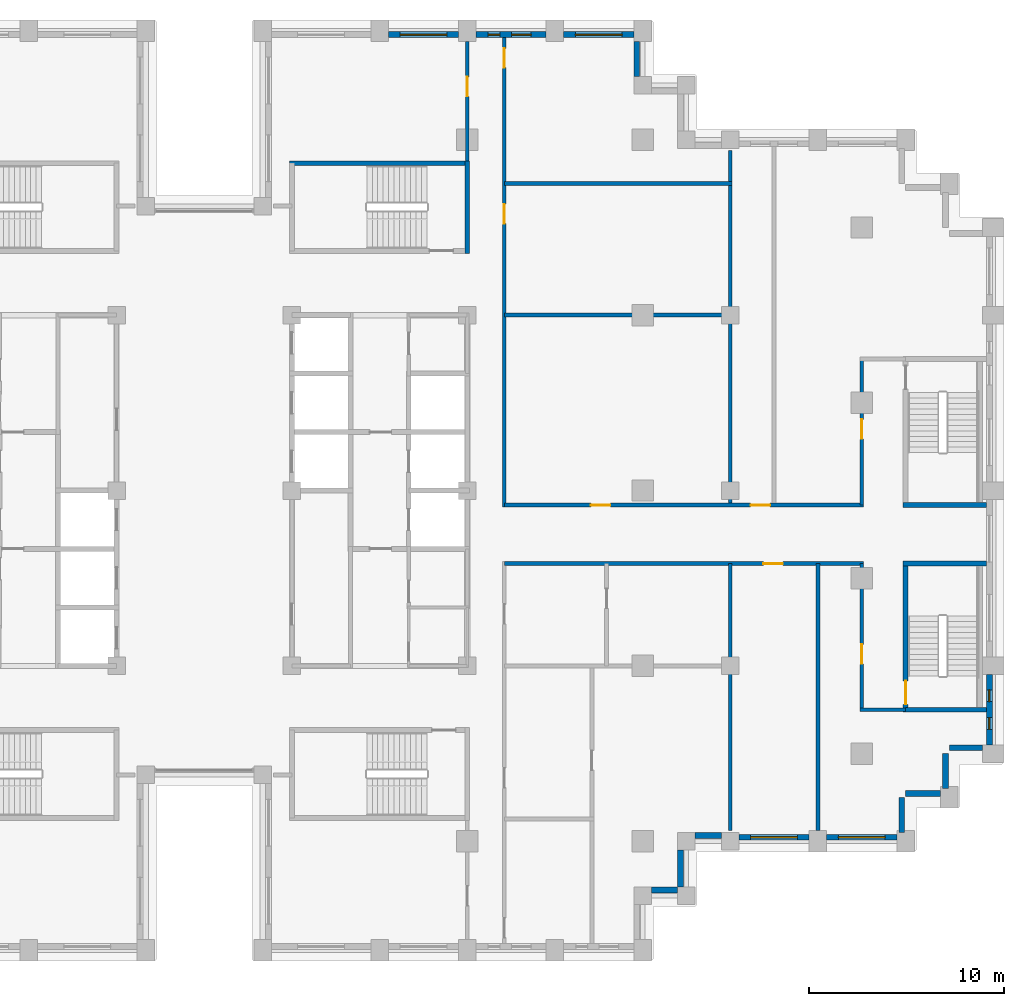
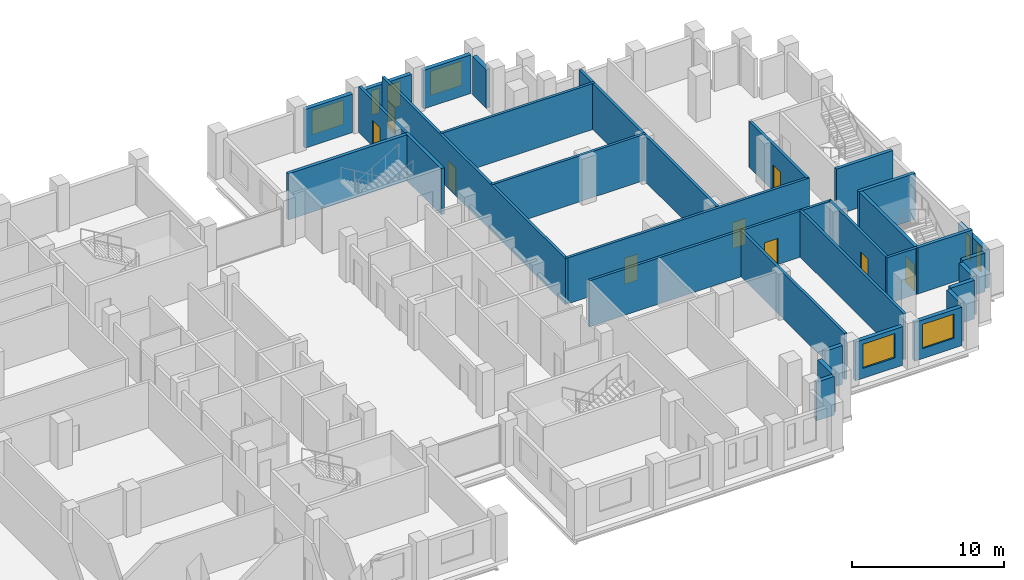
# One storey, part 11 of 15: 32 walls, 9 doors, 8 windows, 17 openings.
"""IFC4 building model written with IfcOpenShell, lengths in metres."""

from ifc_helpers import new_model, si_unit, direction, frame, frame_2d, origin, place, context, subcontext, project, spatial, rectangle, extrude, material, layer, layer_set, type_object, element, fill, save


model = new_model("IFC4")

# Units and contexts
model_context = context("Model", 3, precision=1e-05, world=origin(), true_north=direction((0.0, 1.0)))
body_context = subcontext(model_context, "Body", "Model", "MODEL_VIEW")
ifc_project = project(units=[si_unit("LENGTHUNIT", "METRE"), si_unit("AREAUNIT", "SQUARE_METRE"), si_unit("VOLUMEUNIT", "CUBIC_METRE"), si_unit("PLANEANGLEUNIT", "RADIAN"), si_unit("MASSUNIT", "GRAM", prefix="KILO")], contexts=[model_context])

# Site, building, storey
site_placement = place(None, origin())
site = spatial("IfcSite", under=ifc_project, at=site_placement, CompositionType="ELEMENT")
building_placement = place(site_placement, origin())
building = spatial("IfcBuilding", under=site, at=building_placement, Name="Corbelhall Arena Tower", CompositionType="ELEMENT")
storey_placement = place(building_placement, frame((0.0, 0.0, 146.0)))
storey = spatial("IfcBuildingStorey", under=building, at=storey_placement, Name="L28", CompositionType="ELEMENT", Elevation=146.0)

# Walls
ifc_material_1 = material(Name="Precast concrete C40/50 with granite facing", Category="masonry")
ifc_layer_1 = layer(ifc_material_1, 0.300048828125)
ifc_layer_set_1 = layer_set([ifc_layer_1], Name="EV-IW1 Infill panel 300")
wall_type_1 = type_object("IfcWallType", Name="EV-IW1 Infill panel 300", PredefinedType="SOLIDWALL", material=ifc_layer_set_1)
for number, where, z_axis, x_axis, name in (
    (1, (35.800048828125, -17.550048828125, 0.0), (0.0, 0.0, 1.0), (0.0, 1.0, 0.0), "Infill panel IW1"),
    (2, (37.800048828125, -15.550048828125, 0.0), (0.0, 0.0, 1.0), (-1.0, 0.0, 0.0), "Infill panel IW1"),
    (3, (38.050048828125, -15.300048828125, 0.0), (0.0, 0.0, 1.0), (0.0, 1.0, 0.0), "Infill panel IW1"),
):
    element("IfcWall", number, at=place(storey_placement, frame(where, z_axis=z_axis, x_axis=x_axis)), inside=storey, type_object=wall_type_1, Name=name, PredefinedType="SOLIDWALL", context=body_context, shape_type="SweptSolid", body=[
        extrude(rectangle(XDim=1.800048828125, YDim=0.300048828125, at=frame_2d((0.89990234375, 0.0))), origin(), (0.0, 0.0, 1.0), 3.10009765625),
    ])
wall_1_placement = place(storey_placement, frame((39.949951171875, -13.199951171875, 0.0), z_axis=(0.0, 0.0, 1.0), x_axis=(-1.0, 0.0, 0.0)))
element("IfcWall", 4, at=wall_1_placement, inside=storey, type_object=wall_type_1, Name="Infill panel IW1", PredefinedType="SOLIDWALL", context=body_context, shape_type="SweptSolid", body=[
    extrude(rectangle(XDim=1.699951171875, YDim=0.300048828125, at=frame_2d((0.85009765625, 0.0))), origin(), (0.0, 0.0, 1.0), 3.10009765625),
])
wall_2_placement = place(storey_placement, frame((22.949951171875, -20.5, 0.0), z_axis=(0.0, 0.0, 1.0), x_axis=(1.0, 0.0, 0.0)))
element("IfcWall", 5, at=wall_2_placement, inside=storey, type_object=wall_type_1, Name="Infill panel IW1", PredefinedType="SOLIDWALL", context=body_context, shape_type="SweptSolid", body=[
    extrude(rectangle(XDim=1.35009765625, YDim=0.300048828125, at=frame_2d((0.675048828125, 0.0))), origin(), (0.0, 0.0, 1.0), 3.10009765625),
])
wall_3_placement = place(storey_placement, frame((24.449951171875, -20.35009765625, 0.0), z_axis=(0.0, 0.0, 1.0), x_axis=(0.0, 1.0, 0.0)))
element("IfcWall", 6, at=wall_3_placement, inside=storey, type_object=wall_type_1, Name="Infill panel IW1", PredefinedType="SOLIDWALL", context=body_context, shape_type="SweptSolid", body=[
    extrude(rectangle(XDim=1.900146484375, YDim=0.300048828125, at=frame_2d((0.9501953125, 0.0))), origin(), (0.0, 0.0, 1.0), 3.10009765625),
])
wall_4_placement = place(storey_placement, frame((25.199951171875, -17.699951171875, 0.0), z_axis=(0.0, 0.0, 1.0), x_axis=(1.0, 0.0, 0.0)))
element("IfcWall", 7, at=wall_4_placement, inside=storey, type_object=wall_type_1, Name="Infill panel IW1", PredefinedType="SOLIDWALL", context=body_context, shape_type="SweptSolid", body=[
    extrude(rectangle(XDim=1.35009765625, YDim=0.300048828125, at=frame_2d((0.675048828125, 0.0))), origin(), (0.0, 0.0, 1.0), 3.10009765625),
])

# Wall, opening, window
wall_5_placement = place(storey_placement, frame((27.449951171875, -17.800048828125, 0.0), z_axis=(0.0, 0.0, 1.0), x_axis=(1.0, 0.0, 0.0)))
wall_5 = element("IfcWall", 8, at=wall_5_placement, inside=storey, type_object=wall_type_1, Name="Infill panel IW1", PredefinedType="SOLIDWALL", context=body_context, shape_type="SweptSolid", body=[
    extrude(rectangle(XDim=3.60009765625, YDim=0.300048828125, at=frame_2d((1.800048828125, 0.0))), origin(), (0.0, 0.0, 1.0), 3.10009765625),
])
opening_1_placement = place(wall_5_placement, frame((0.60009765625, 0.0, 0.800048828125)))
opening_1 = element("IfcOpeningElement", 9, at=opening_1_placement, cuts=wall_5, Name="Opening WN1", PredefinedType="OPENING", context=body_context, shape_type="SweptSolid", body=[
    extrude(rectangle(XDim=2.39990234375, YDim=1.949951171875, at=frame_2d((1.199951171875, 0.97509765625))), frame((0.0, 0.14990234375, 0.0), z_axis=(0.0, -1.0, 0.0), x_axis=(1.0, 0.0, 0.0)), (0.0, 0.0, 1.0), 0.300048828125),
])
ifc_material_2 = material(Name="Aluminium black anodised", Category="aluminium")
window_type_1 = type_object("IfcWindowType", Name="EV-WN1 Office window", PartitioningType="SINGLE_PANEL", PredefinedType="WINDOW", material=ifc_material_2)
window_1_placement = place(opening_1_placement, origin())
window_1 = element("IfcWindow", 10, at=window_1_placement, inside=storey, type_object=window_type_1, Name="Window WN1", OverallHeight=1.949951171875, OverallWidth=2.39990234375, PartitioningType="SINGLE_PANEL", PredefinedType="WINDOW", context=body_context, shape_type="SweptSolid", body=[
    extrude(rectangle(XDim=2.39990234375, YDim=1.949951171875, at=frame_2d((1.199951171875, 0.97509765625))), frame((0.0, 0.030029296875, 0.0), z_axis=(0.0, -1.0, 0.0), x_axis=(1.0, 0.0, 0.0)), (0.0, 0.0, 1.0), 0.06005859375),
])
fill(opening_1, window_1)

wall_6_placement = place(storey_placement, frame((31.949951171875, -17.800048828125, 0.0), z_axis=(0.0, 0.0, 1.0), x_axis=(1.0, 0.0, 0.0)))
wall_6 = element("IfcWall", 11, at=wall_6_placement, inside=storey, type_object=wall_type_1, Name="Infill panel IW1", PredefinedType="SOLIDWALL", context=body_context, shape_type="SweptSolid", body=[
    extrude(rectangle(XDim=3.60009765625, YDim=0.300048828125, at=frame_2d((1.800048828125, 0.0))), origin(), (0.0, 0.0, 1.0), 3.10009765625),
])
opening_2_placement = place(wall_6_placement, frame((0.60009765625, 0.0, 0.800048828125)))
opening_2 = element("IfcOpeningElement", 12, at=opening_2_placement, cuts=wall_6, Name="Opening WN1", PredefinedType="OPENING", context=body_context, shape_type="SweptSolid", body=[
    extrude(rectangle(XDim=2.39990234375, YDim=1.949951171875, at=frame_2d((1.199951171875, 0.97509765625))), frame((0.0, 0.14990234375, 0.0), z_axis=(0.0, -1.0, 0.0), x_axis=(1.0, 0.0, 0.0)), (0.0, 0.0, 1.0), 0.300048828125),
])
window_2_placement = place(opening_2_placement, origin())
window_2 = element("IfcWindow", 13, at=window_2_placement, inside=storey, type_object=window_type_1, Name="Window WN1", OverallHeight=1.949951171875, OverallWidth=2.39990234375, PartitioningType="SINGLE_PANEL", PredefinedType="WINDOW", context=body_context, shape_type="SweptSolid", body=[
    extrude(rectangle(XDim=2.39990234375, YDim=1.949951171875, at=frame_2d((1.199951171875, 0.97509765625))), frame((0.0, 0.030029296875, 0.0), z_axis=(0.0, -1.0, 0.0), x_axis=(1.0, 0.0, 0.0)), (0.0, 0.0, 1.0), 0.06005859375),
])
fill(opening_2, window_2)

# Wall, openings, windows
wall_7_placement = place(storey_placement, frame((40.300048828125, -13.050048828125, 0.0), z_axis=(0.0, 0.0, 1.0), x_axis=(0.0, 1.0, 0.0)))
wall_7 = element("IfcWall", 14, at=wall_7_placement, inside=storey, type_object=wall_type_1, Name="Infill panel IW1", PredefinedType="SOLIDWALL", context=body_context, shape_type="SweptSolid", body=[
    extrude(rectangle(XDim=3.60009765625, YDim=0.300048828125, at=frame_2d((1.800048828125, 0.0))), origin(), (0.0, 0.0, 1.0), 3.10009765625),
])
opening_3_placement = place(wall_7_placement, frame((0.78759765625, 0.0, 0.800048828125)))
opening_3 = element("IfcOpeningElement", 15, at=opening_3_placement, cuts=wall_7, Name="Opening WN5", PredefinedType="OPENING", context=body_context, shape_type="SweptSolid", body=[
    extrude(rectangle(XDim=0.60009765625, YDim=1.949951171875, at=frame_2d((0.300048828125, 0.97509765625))), frame((0.0, 0.14990234375, 0.0), z_axis=(0.0, -1.0, 0.0), x_axis=(1.0, 0.0, 0.0)), (0.0, 0.0, 1.0), 0.300048828125),
])
opening_4_placement = place(wall_7_placement, frame((2.21240234375, 0.0, 0.800048828125)))
opening_4 = element("IfcOpeningElement", 16, at=opening_4_placement, cuts=wall_7, Name="Opening WN5", PredefinedType="OPENING", context=body_context, shape_type="SweptSolid", body=[
    extrude(rectangle(XDim=0.60009765625, YDim=1.949951171875, at=frame_2d((0.300048828125, 0.97509765625))), frame((0.0, 0.14990234375, 0.0), z_axis=(0.0, -1.0, 0.0), x_axis=(1.0, 0.0, 0.0)), (0.0, 0.0, 1.0), 0.300048828125),
])
window_type_2 = type_object("IfcWindowType", Name="EV-WN5 Office window 600", PartitioningType="SINGLE_PANEL", PredefinedType="WINDOW", material=ifc_material_2)
window_3_placement = place(opening_3_placement, origin())
window_3 = element("IfcWindow", 17, at=window_3_placement, inside=storey, type_object=window_type_2, Name="Window WN5", OverallHeight=1.949951171875, OverallWidth=0.60009765625, PartitioningType="SINGLE_PANEL", PredefinedType="WINDOW", context=body_context, shape_type="SweptSolid", body=[
    extrude(rectangle(XDim=0.60009765625, YDim=1.949951171875, at=frame_2d((0.300048828125, 0.97509765625))), frame((0.0, 0.030029296875, 0.0), z_axis=(0.0, -1.0, 0.0), x_axis=(1.0, 0.0, 0.0)), (0.0, 0.0, 1.0), 0.06005859375),
])
fill(opening_3, window_3)
window_4_placement = place(opening_4_placement, origin())
window_4 = element("IfcWindow", 18, at=window_4_placement, inside=storey, type_object=window_type_2, Name="Window WN5", OverallHeight=1.949951171875, OverallWidth=0.60009765625, PartitioningType="SINGLE_PANEL", PredefinedType="WINDOW", context=body_context, shape_type="SweptSolid", body=[
    extrude(rectangle(XDim=0.60009765625, YDim=1.949951171875, at=frame_2d((0.300048828125, 0.97509765625))), frame((0.0, 0.030029296875, 0.0), z_axis=(0.0, -1.0, 0.0), x_axis=(1.0, 0.0, 0.0)), (0.0, 0.0, 1.0), 0.06005859375),
])
fill(opening_4, window_4)

# Wall
wall_8_placement = place(storey_placement, frame((22.199951171875, 21.25, 0.0), z_axis=(0.0, 0.0, 1.0), x_axis=(0.0, 1.0, 0.0)))
element("IfcWall", 19, at=wall_8_placement, inside=storey, type_object=wall_type_1, Name="Infill panel IW1", PredefinedType="SOLIDWALL", context=body_context, shape_type="SweptSolid", body=[
    extrude(rectangle(XDim=1.800048828125, YDim=0.300048828125, at=frame_2d((0.89990234375, 0.0))), origin(), (0.0, 0.0, 1.0), 3.10009765625),
])

# Wall, opening, window
wall_9_placement = place(storey_placement, frame((22.050048828125, 23.39990234375, 0.0), z_axis=(0.0, 0.0, 1.0), x_axis=(-1.0, 0.0, 0.0)))
wall_9 = element("IfcWall", 20, at=wall_9_placement, inside=storey, type_object=wall_type_1, Name="Infill panel IW1", PredefinedType="SOLIDWALL", context=body_context, shape_type="SweptSolid", body=[
    extrude(rectangle(XDim=3.60009765625, YDim=0.300048828125, at=frame_2d((1.800048828125, 0.0))), origin(), (0.0, 0.0, 1.0), 3.10009765625),
])
opening_5_placement = place(wall_9_placement, frame((0.60009765625, 0.0, 0.800048828125)))
opening_5 = element("IfcOpeningElement", 21, at=opening_5_placement, cuts=wall_9, Name="Opening WN1", PredefinedType="OPENING", context=body_context, shape_type="SweptSolid", body=[
    extrude(rectangle(XDim=2.39990234375, YDim=1.949951171875, at=frame_2d((1.199951171875, 0.97509765625))), frame((0.0, 0.14990234375, 0.0), z_axis=(0.0, -1.0, 0.0), x_axis=(1.0, 0.0, 0.0)), (0.0, 0.0, 1.0), 0.300048828125),
])
window_5_placement = place(opening_5_placement, origin())
window_5 = element("IfcWindow", 22, at=window_5_placement, inside=storey, type_object=window_type_1, Name="Window WN1", OverallHeight=1.949951171875, OverallWidth=2.39990234375, PartitioningType="SINGLE_PANEL", PredefinedType="WINDOW", context=body_context, shape_type="SweptSolid", body=[
    extrude(rectangle(XDim=2.39990234375, YDim=1.949951171875, at=frame_2d((1.199951171875, 0.97509765625))), frame((0.0, 0.030029296875, 0.0), z_axis=(0.0, -1.0, 0.0), x_axis=(1.0, 0.0, 0.0)), (0.0, 0.0, 1.0), 0.06005859375),
])
fill(opening_5, window_5)

# Wall, openings, windows
wall_10_placement = place(storey_placement, frame((17.550048828125, 23.39990234375, 0.0), z_axis=(0.0, 0.0, 1.0), x_axis=(-1.0, 0.0, 0.0)))
wall_10 = element("IfcWall", 23, at=wall_10_placement, inside=storey, type_object=wall_type_1, Name="Infill panel IW1", PredefinedType="SOLIDWALL", context=body_context, shape_type="SweptSolid", body=[
    extrude(rectangle(XDim=3.60009765625, YDim=0.300048828125, at=frame_2d((1.800048828125, 0.0))), origin(), (0.0, 0.0, 1.0), 3.10009765625),
])
opening_6_placement = place(wall_10_placement, frame((0.77490234375, 0.0, 0.800048828125)))
opening_6 = element("IfcOpeningElement", 24, at=opening_6_placement, cuts=wall_10, Name="Opening WN6", PredefinedType="OPENING", context=body_context, shape_type="SweptSolid", body=[
    extrude(rectangle(XDim=1.0, YDim=1.949951171875, at=frame_2d((0.5, 0.97509765625))), frame((0.0, 0.14990234375, 0.0), z_axis=(0.0, -1.0, 0.0), x_axis=(1.0, 0.0, 0.0)), (0.0, 0.0, 1.0), 0.300048828125),
])
opening_7_placement = place(wall_10_placement, frame((2.375, 0.0, 0.800048828125)))
opening_7 = element("IfcOpeningElement", 25, at=opening_7_placement, cuts=wall_10, Name="Opening WN5", PredefinedType="OPENING", context=body_context, shape_type="SweptSolid", body=[
    extrude(rectangle(XDim=0.60009765625, YDim=1.949951171875, at=frame_2d((0.300048828125, 0.97509765625))), frame((0.0, 0.14990234375, 0.0), z_axis=(0.0, -1.0, 0.0), x_axis=(1.0, 0.0, 0.0)), (0.0, 0.0, 1.0), 0.300048828125),
])
window_6_placement = place(opening_7_placement, origin())
window_6 = element("IfcWindow", 26, at=window_6_placement, inside=storey, type_object=window_type_2, Name="Window WN5", OverallHeight=1.949951171875, OverallWidth=0.60009765625, PartitioningType="SINGLE_PANEL", PredefinedType="WINDOW", context=body_context, shape_type="SweptSolid", body=[
    extrude(rectangle(XDim=0.60009765625, YDim=1.949951171875, at=frame_2d((0.300048828125, 0.97509765625))), frame((0.0, 0.030029296875, 0.0), z_axis=(0.0, -1.0, 0.0), x_axis=(1.0, 0.0, 0.0)), (0.0, 0.0, 1.0), 0.06005859375),
])
fill(opening_7, window_6)
window_type_3 = type_object("IfcWindowType", Name="EV-WN6 Office window 1000", PartitioningType="SINGLE_PANEL", PredefinedType="WINDOW", material=ifc_material_2)
window_7_placement = place(opening_6_placement, origin())
window_7 = element("IfcWindow", 27, at=window_7_placement, inside=storey, type_object=window_type_3, Name="Window WN6", OverallHeight=1.949951171875, OverallWidth=1.0, PartitioningType="SINGLE_PANEL", PredefinedType="WINDOW", context=body_context, shape_type="SweptSolid", body=[
    extrude(rectangle(XDim=1.0, YDim=1.949951171875, at=frame_2d((0.5, 0.97509765625))), frame((0.0, 0.030029296875, 0.0), z_axis=(0.0, -1.0, 0.0), x_axis=(1.0, 0.0, 0.0)), (0.0, 0.0, 1.0), 0.06005859375),
])
fill(opening_6, window_7)

# Wall, opening, window
wall_11_placement = place(storey_placement, frame((13.050048828125, 23.39990234375, 0.0), z_axis=(0.0, 0.0, 1.0), x_axis=(-1.0, 0.0, 0.0)))
wall_11 = element("IfcWall", 28, at=wall_11_placement, inside=storey, type_object=wall_type_1, Name="Infill panel IW1", PredefinedType="SOLIDWALL", context=body_context, shape_type="SweptSolid", body=[
    extrude(rectangle(XDim=3.60009765625, YDim=0.300048828125, at=frame_2d((1.800048828125, 0.0))), origin(), (0.0, 0.0, 1.0), 3.10009765625),
])
opening_8_placement = place(wall_11_placement, frame((0.60009765625, 0.0, 0.800048828125)))
opening_8 = element("IfcOpeningElement", 29, at=opening_8_placement, cuts=wall_11, Name="Opening WN1", PredefinedType="OPENING", context=body_context, shape_type="SweptSolid", body=[
    extrude(rectangle(XDim=2.39990234375, YDim=1.949951171875, at=frame_2d((1.199951171875, 0.97509765625))), frame((0.0, 0.14990234375, 0.0), z_axis=(0.0, -1.0, 0.0), x_axis=(1.0, 0.0, 0.0)), (0.0, 0.0, 1.0), 0.300048828125),
])
window_8_placement = place(opening_8_placement, origin())
window_8 = element("IfcWindow", 30, at=window_8_placement, inside=storey, type_object=window_type_1, Name="Window WN1", OverallHeight=1.949951171875, OverallWidth=2.39990234375, PartitioningType="SINGLE_PANEL", PredefinedType="WINDOW", context=body_context, shape_type="SweptSolid", body=[
    extrude(rectangle(XDim=2.39990234375, YDim=1.949951171875, at=frame_2d((1.199951171875, 0.97509765625))), frame((0.0, 0.030029296875, 0.0), z_axis=(0.0, -1.0, 0.0), x_axis=(1.0, 0.0, 0.0)), (0.0, 0.0, 1.0), 0.06005859375),
])
fill(opening_8, window_8)

# Wall, opening, door
ifc_material_3 = material(Name="Gypsum board on steel stud, acoustic", Category="steel")
ifc_layer_2 = layer(ifc_material_3, 0.199951171875)
ifc_layer_set_2 = layer_set([ifc_layer_2], Name="IN-W-DM200")
wall_type_2 = type_object("IfcWallType", Name="IN-W-DM200", PredefinedType="PARTITIONING", material=ifc_layer_set_2)
wall_12_placement = place(storey_placement, frame((13.5, 16.675048828125, 0.0), z_axis=(0.0, 0.0, 1.0), x_axis=(0.0, 1.0, 0.0)))
wall_12 = element("IfcWall", 31, at=wall_12_placement, inside=storey, type_object=wall_type_2, Name="Partition 027", PredefinedType="PARTITIONING", context=body_context, shape_type="SweptSolid", body=[
    extrude(rectangle(XDim=6.375, YDim=0.199951171875, at=frame_2d((3.1875, 0.0))), origin(), (0.0, 0.0, 1.0), 3.699951171875),
])
opening_9_placement = place(wall_12_placement, frame((3.550048828125, 0.0, 0.0)))
opening_9 = element("IfcOpeningElement", 32, at=opening_9_placement, cuts=wall_12, Name="Opening 07023", PredefinedType="OPENING", context=body_context, shape_type="SweptSolid", body=[
    extrude(rectangle(XDim=1.0, YDim=2.10009765625, at=frame_2d((0.5, 1.050048828125))), frame((0.0, 0.10009765625, 0.0), z_axis=(0.0, -1.0, 0.0), x_axis=(1.0, 0.0, 0.0)), (0.0, 0.0, 1.0), 0.199951171875),
])
ifc_material_4 = material(Name="Steel door set", Category="steel")
door_type_1 = type_object("IfcDoorType", Name="IN-D-SW100", OperationType="NOTDEFINED", PredefinedType="DOOR", material=ifc_material_4)
door_1_placement = place(opening_9_placement, origin())
door_1 = element("IfcDoor", 33, at=door_1_placement, inside=storey, type_object=door_type_1, Name="Door 023", OperationType="SINGLE_SWING_RIGHT", OverallHeight=2.10009765625, OverallWidth=1.0, PredefinedType="DOOR", context=body_context, shape_type="SweptSolid", body=[
    extrude(rectangle(XDim=1.0, YDim=2.10009765625, at=frame_2d((0.5, 1.050048828125))), frame((0.0, 0.02490234375, 0.0), z_axis=(0.0, -1.0, 0.0), x_axis=(1.0, 0.0, 0.0)), (0.0, 0.0, 1.0), 0.050048828125),
])
fill(opening_9, door_1)

# Wall, openings, doors
wall_13_placement = place(storey_placement, frame((15.39990234375, -0.75, 0.0), z_axis=(0.0, 0.0, 1.0), x_axis=(1.0, 0.0, 0.0)))
wall_13 = element("IfcWall", 34, at=wall_13_placement, inside=storey, type_object=wall_type_2, Name="Partition 031", PredefinedType="PARTITIONING", context=body_context, shape_type="SweptSolid", body=[
    extrude(rectangle(XDim=18.4501953125, YDim=0.199951171875, at=frame_2d((9.22509765625, 0.0))), origin(), (0.0, 0.0, 1.0), 3.699951171875),
])
opening_10_placement = place(wall_13_placement, frame((4.449951171875, 0.0, 0.0)))
opening_10 = element("IfcOpeningElement", 35, at=opening_10_placement, cuts=wall_13, Name="Opening 07032", PredefinedType="OPENING", context=body_context, shape_type="SweptSolid", body=[
    extrude(rectangle(XDim=1.0, YDim=2.10009765625, at=frame_2d((0.5, 1.050048828125))), frame((0.0, 0.10009765625, 0.0), z_axis=(0.0, -1.0, 0.0), x_axis=(1.0, 0.0, 0.0)), (0.0, 0.0, 1.0), 0.199951171875),
])
opening_11_placement = place(wall_13_placement, frame((12.64990234375, 0.0, 0.0)))
opening_11 = element("IfcOpeningElement", 36, at=opening_11_placement, cuts=wall_13, Name="Opening 07043", PredefinedType="OPENING", context=body_context, shape_type="SweptSolid", body=[
    extrude(rectangle(XDim=1.0, YDim=2.10009765625, at=frame_2d((0.5, 1.050048828125))), frame((0.0, 0.10009765625, 0.0), z_axis=(0.0, -1.0, 0.0), x_axis=(1.0, 0.0, 0.0)), (0.0, 0.0, 1.0), 0.199951171875),
])
door_2_placement = place(opening_10_placement, origin())
door_2 = element("IfcDoor", 37, at=door_2_placement, inside=storey, type_object=door_type_1, Name="Door 032", OperationType="SINGLE_SWING_LEFT", OverallHeight=2.10009765625, OverallWidth=1.0, PredefinedType="DOOR", context=body_context, shape_type="SweptSolid", body=[
    extrude(rectangle(XDim=1.0, YDim=2.10009765625, at=frame_2d((0.5, 1.050048828125))), frame((0.0, 0.02490234375, 0.0), z_axis=(0.0, -1.0, 0.0), x_axis=(1.0, 0.0, 0.0)), (0.0, 0.0, 1.0), 0.050048828125),
])
fill(opening_10, door_2)
door_3_placement = place(opening_11_placement, origin())
door_3 = element("IfcDoor", 38, at=door_3_placement, inside=storey, type_object=door_type_1, Name="Door 043", OperationType="SINGLE_SWING_RIGHT", OverallHeight=2.10009765625, OverallWidth=1.0, PredefinedType="DOOR", context=body_context, shape_type="SweptSolid", body=[
    extrude(rectangle(XDim=1.0, YDim=2.10009765625, at=frame_2d((0.5, 1.050048828125))), frame((0.0, 0.02490234375, 0.0), z_axis=(0.0, -1.0, 0.0), x_axis=(1.0, 0.0, 0.0)), (0.0, 0.0, 1.0), 0.050048828125),
])
fill(opening_11, door_3)

# Wall
wall_14_placement = place(storey_placement, frame((15.39990234375, 9.0, 0.0), z_axis=(0.0, 0.0, 1.0), x_axis=(1.0, 0.0, 0.0)))
element("IfcWall", 39, at=wall_14_placement, inside=storey, type_object=wall_type_2, Name="Partition 032", PredefinedType="PARTITIONING", context=body_context, shape_type="SweptSolid", body=[
    extrude(rectangle(XDim=11.7001953125, YDim=0.199951171875, at=frame_2d((5.85009765625, 0.0))), origin(), (0.0, 0.0, 1.0), 3.699951171875),
])

# Wall, openings, doors
wall_15_placement = place(storey_placement, frame((15.39990234375, 23.25, 0.0), z_axis=(0.0, 0.0, 1.0), x_axis=(0.0, -1.0, 0.0)))
wall_15 = element("IfcWall", 40, at=wall_15_placement, inside=storey, type_object=wall_type_2, Name="Partition 033", PredefinedType="PARTITIONING", context=body_context, shape_type="SweptSolid", body=[
    extrude(rectangle(XDim=24.10009765625, YDim=0.199951171875, at=frame_2d((12.050048828125, 0.0))), origin(), (0.0, 0.0, 1.0), 3.699951171875),
])
opening_12_placement = place(wall_15_placement, frame((8.550048828125, 0.0, 0.0)))
opening_12 = element("IfcOpeningElement", 41, at=opening_12_placement, cuts=wall_15, Name="Opening 07033", PredefinedType="OPENING", context=body_context, shape_type="SweptSolid", body=[
    extrude(rectangle(XDim=1.0, YDim=2.10009765625, at=frame_2d((0.5, 1.050048828125))), frame((0.0, 0.10009765625, 0.0), z_axis=(0.0, -1.0, 0.0), x_axis=(1.0, 0.0, 0.0)), (0.0, 0.0, 1.0), 0.199951171875),
])
opening_13_placement = place(wall_15_placement, frame((0.550048828125, 0.0, 0.0)))
opening_13 = element("IfcOpeningElement", 42, at=opening_13_placement, cuts=wall_15, Name="Opening 07034", PredefinedType="OPENING", context=body_context, shape_type="SweptSolid", body=[
    extrude(rectangle(XDim=1.0, YDim=2.10009765625, at=frame_2d((0.5, 1.050048828125))), frame((0.0, 0.10009765625, 0.0), z_axis=(0.0, -1.0, 0.0), x_axis=(1.0, 0.0, 0.0)), (0.0, 0.0, 1.0), 0.199951171875),
])
door_4_placement = place(opening_12_placement, origin())
door_4 = element("IfcDoor", 43, at=door_4_placement, inside=storey, type_object=door_type_1, Name="Door 033", OperationType="SINGLE_SWING_RIGHT", OverallHeight=2.10009765625, OverallWidth=1.0, PredefinedType="DOOR", context=body_context, shape_type="SweptSolid", body=[
    extrude(rectangle(XDim=1.0, YDim=2.10009765625, at=frame_2d((0.5, 1.050048828125))), frame((0.0, 0.02490234375, 0.0), z_axis=(0.0, -1.0, 0.0), x_axis=(1.0, 0.0, 0.0)), (0.0, 0.0, 1.0), 0.050048828125),
])
fill(opening_12, door_4)
door_5_placement = place(opening_13_placement, origin())
door_5 = element("IfcDoor", 44, at=door_5_placement, inside=storey, type_object=door_type_1, Name="Door 034", OperationType="SINGLE_SWING_LEFT", OverallHeight=2.10009765625, OverallWidth=1.0, PredefinedType="DOOR", context=body_context, shape_type="SweptSolid", body=[
    extrude(rectangle(XDim=1.0, YDim=2.10009765625, at=frame_2d((0.5, 1.050048828125))), frame((0.0, 0.02490234375, 0.0), z_axis=(0.0, -1.0, 0.0), x_axis=(1.0, 0.0, 0.0)), (0.0, 0.0, 1.0), 0.050048828125),
])
fill(opening_13, door_5)

# Wall
wall_16_placement = place(storey_placement, frame((15.39990234375, 15.75, 0.0), z_axis=(0.0, 0.0, 1.0), x_axis=(1.0, 0.0, 0.0)))
element("IfcWall", 45, at=wall_16_placement, inside=storey, type_object=wall_type_2, Name="Partition 034", PredefinedType="PARTITIONING", context=body_context, shape_type="SweptSolid", body=[
    extrude(rectangle(XDim=11.7001953125, YDim=0.199951171875, at=frame_2d((5.85009765625, 0.0))), origin(), (0.0, 0.0, 1.0), 3.699951171875),
])

# Wall, opening, door
wall_17_placement = place(storey_placement, frame((33.85009765625, -3.75, 0.0), z_axis=(0.0, 0.0, 1.0), x_axis=(-1.0, 0.0, 0.0)))
wall_17 = element("IfcWall", 46, at=wall_17_placement, inside=storey, type_object=wall_type_2, Name="Partition 037", PredefinedType="PARTITIONING", context=body_context, shape_type="SweptSolid", body=[
    extrude(rectangle(XDim=18.4501953125, YDim=0.199951171875, at=frame_2d((9.22509765625, 0.0))), origin(), (0.0, 0.0, 1.0), 3.699951171875),
])
opening_14_placement = place(wall_17_placement, frame((4.14990234375, 0.0, 0.0)))
opening_14 = element("IfcOpeningElement", 47, at=opening_14_placement, cuts=wall_17, Name="Opening 07045", PredefinedType="OPENING", context=body_context, shape_type="SweptSolid", body=[
    extrude(rectangle(XDim=1.0, YDim=2.10009765625, at=frame_2d((0.5, 1.050048828125))), frame((0.0, 0.10009765625, 0.0), z_axis=(0.0, -1.0, 0.0), x_axis=(1.0, 0.0, 0.0)), (0.0, 0.0, 1.0), 0.199951171875),
])
door_6_placement = place(opening_14_placement, origin())
door_6 = element("IfcDoor", 48, at=door_6_placement, inside=storey, type_object=door_type_1, Name="Door 045", OperationType="SINGLE_SWING_RIGHT", OverallHeight=2.10009765625, OverallWidth=1.0, PredefinedType="DOOR", context=body_context, shape_type="SweptSolid", body=[
    extrude(rectangle(XDim=1.0, YDim=2.10009765625, at=frame_2d((0.5, 1.050048828125))), frame((0.0, 0.02490234375, 0.0), z_axis=(0.0, -1.0, 0.0), x_axis=(1.0, 0.0, 0.0)), (0.0, 0.0, 1.0), 0.050048828125),
])
fill(opening_14, door_6)

# Walls
wall_18_placement = place(storey_placement, frame((27.0, -3.75, 0.0), z_axis=(0.0, 0.0, 1.0), x_axis=(0.0, -1.0, 0.0)))
element("IfcWall", 49, at=wall_18_placement, inside=storey, type_object=wall_type_2, Name="Partition 038", PredefinedType="PARTITIONING", context=body_context, shape_type="SweptSolid", body=[
    extrude(rectangle(XDim=13.699951171875, YDim=0.199951171875, at=frame_2d((6.85009765625, 0.0))), origin(), (0.0, 0.0, 1.0), 3.699951171875),
])
wall_19_placement = place(storey_placement, frame((27.0, 17.449951171875, 0.0), z_axis=(0.0, 0.0, 1.0), x_axis=(0.0, -1.0, 0.0)))
element("IfcWall", 50, at=wall_19_placement, inside=storey, type_object=wall_type_2, Name="Partition 039", PredefinedType="PARTITIONING", context=body_context, shape_type="SweptSolid", body=[
    extrude(rectangle(XDim=18.199951171875, YDim=0.199951171875, at=frame_2d((9.10009765625, 0.0))), origin(), (0.0, 0.0, 1.0), 3.699951171875),
])
wall_20_placement = place(storey_placement, frame((31.5, -3.75, 0.0), z_axis=(0.0, 0.0, 1.0), x_axis=(0.0, -1.0, 0.0)))
element("IfcWall", 51, at=wall_20_placement, inside=storey, type_object=wall_type_2, Name="Partition 041", PredefinedType="PARTITIONING", context=body_context, shape_type="SweptSolid", body=[
    extrude(rectangle(XDim=13.699951171875, YDim=0.199951171875, at=frame_2d((6.85009765625, 0.0))), origin(), (0.0, 0.0, 1.0), 3.699951171875),
])

# Wall, opening, door
wall_21_placement = place(storey_placement, frame((33.75, -11.25, 0.0), z_axis=(0.0, 0.0, 1.0), x_axis=(0.0, 1.0, 0.0)))
wall_21 = element("IfcWall", 52, at=wall_21_placement, inside=storey, type_object=wall_type_2, Name="Partition 043", PredefinedType="PARTITIONING", context=body_context, shape_type="SweptSolid", body=[
    extrude(rectangle(XDim=7.5, YDim=0.199951171875, at=frame_2d((3.75, 0.0))), origin(), (0.0, 0.0, 1.0), 3.699951171875),
])
opening_15_placement = place(wall_21_placement, frame((2.35009765625, 0.0, 0.0)))
opening_15 = element("IfcOpeningElement", 53, at=opening_15_placement, cuts=wall_21, Name="Opening 07046", PredefinedType="OPENING", context=body_context, shape_type="SweptSolid", body=[
    extrude(rectangle(XDim=1.0, YDim=2.10009765625, at=frame_2d((0.5, 1.050048828125))), frame((0.0, 0.10009765625, 0.0), z_axis=(0.0, -1.0, 0.0), x_axis=(1.0, 0.0, 0.0)), (0.0, 0.0, 1.0), 0.199951171875),
])
door_7_placement = place(opening_15_placement, origin())
door_7 = element("IfcDoor", 54, at=door_7_placement, inside=storey, type_object=door_type_1, Name="Door 046", OperationType="SINGLE_SWING_LEFT", OverallHeight=2.10009765625, OverallWidth=1.0, PredefinedType="DOOR", context=body_context, shape_type="SweptSolid", body=[
    extrude(rectangle(XDim=1.0, YDim=2.10009765625, at=frame_2d((0.5, 1.050048828125))), frame((0.0, 0.02490234375, 0.0), z_axis=(0.0, -1.0, 0.0), x_axis=(1.0, 0.0, 0.0)), (0.0, 0.0, 1.0), 0.050048828125),
])
fill(opening_15, door_7)

wall_22_placement = place(storey_placement, frame((33.75, -0.75, 0.0), z_axis=(0.0, 0.0, 1.0), x_axis=(0.0, 1.0, 0.0)))
wall_22 = element("IfcWall", 55, at=wall_22_placement, inside=storey, type_object=wall_type_2, Name="Partition 044", PredefinedType="PARTITIONING", context=body_context, shape_type="SweptSolid", body=[
    extrude(rectangle(XDim=7.5, YDim=0.199951171875, at=frame_2d((3.75, 0.0))), origin(), (0.0, 0.0, 1.0), 3.699951171875),
])
opening_16_placement = place(wall_22_placement, frame((3.39990234375, 0.0, 0.0)))
opening_16 = element("IfcOpeningElement", 56, at=opening_16_placement, cuts=wall_22, Name="Opening 07044", PredefinedType="OPENING", context=body_context, shape_type="SweptSolid", body=[
    extrude(rectangle(XDim=1.0, YDim=2.10009765625, at=frame_2d((0.5, 1.050048828125))), frame((0.0, 0.10009765625, 0.0), z_axis=(0.0, -1.0, 0.0), x_axis=(1.0, 0.0, 0.0)), (0.0, 0.0, 1.0), 0.199951171875),
])
door_8_placement = place(opening_16_placement, origin())
door_8 = element("IfcDoor", 57, at=door_8_placement, inside=storey, type_object=door_type_1, Name="Door 044", OperationType="SINGLE_SWING_LEFT", OverallHeight=2.10009765625, OverallWidth=1.0, PredefinedType="DOOR", context=body_context, shape_type="SweptSolid", body=[
    extrude(rectangle(XDim=1.0, YDim=2.10009765625, at=frame_2d((0.5, 1.050048828125))), frame((0.0, 0.02490234375, 0.0), z_axis=(0.0, -1.0, 0.0), x_axis=(1.0, 0.0, 0.0)), (0.0, 0.0, 1.0), 0.050048828125),
])
fill(opening_16, door_8)

# Walls
wall_23_placement = place(storey_placement, frame((36.0, -11.25, 0.0), z_axis=(0.0, 0.0, 1.0), x_axis=(-1.0, 0.0, 0.0)))
element("IfcWall", 58, at=wall_23_placement, inside=storey, type_object=wall_type_2, Name="Partition 045", PredefinedType="PARTITIONING", context=body_context, shape_type="SweptSolid", body=[
    extrude(rectangle(XDim=2.35009765625, YDim=0.199951171875, at=frame_2d((1.175048828125, 0.0))), origin(), (0.0, 0.0, 1.0), 3.699951171875),
])
ifc_material_5 = material(Name="Concrete C40/50", Category="concrete")
ifc_layer_3 = layer(ifc_material_5, 0.25)
ifc_layer_set_3 = layer_set([ifc_layer_3], Name="IN-W-ST250")
wall_type_3 = type_object("IfcWallType", Name="IN-W-ST250", PredefinedType="SOLIDWALL", material=ifc_layer_set_3)
wall_24_placement = place(storey_placement, frame((4.375, 16.800048828125, 0.0), z_axis=(0.0, 0.0, 1.0), x_axis=(1.0, 0.0, 0.0)))
element("IfcWall", 59, at=wall_24_placement, inside=storey, type_object=wall_type_3, Name="Shaft wall 098", PredefinedType="SOLIDWALL", context=body_context, shape_type="SweptSolid", body=[
    extrude(rectangle(XDim=9.125, YDim=0.25, at=frame_2d((4.5625, 0.0))), origin(), (0.0, 0.0, 1.0), 3.699951171875),
])
wall_25_placement = place(storey_placement, frame((13.5, 12.175048828125, 0.0), z_axis=(0.0, 0.0, 1.0), x_axis=(0.0, 1.0, 0.0)))
element("IfcWall", 60, at=wall_25_placement, inside=storey, type_object=wall_type_3, Name="Shaft wall 104", PredefinedType="SOLIDWALL", context=body_context, shape_type="SweptSolid", body=[
    extrude(rectangle(XDim=4.75, YDim=0.25, at=frame_2d((2.375, 0.0))), origin(), (0.0, 0.0, 1.0), 3.699951171875),
])
wall_26_placement = place(storey_placement, frame((35.875, -0.75, 0.0), z_axis=(0.0, 0.0, 1.0), x_axis=(1.0, 0.0, 0.0)))
element("IfcWall", 61, at=wall_26_placement, inside=storey, type_object=wall_type_3, Name="Shaft wall 105", PredefinedType="SOLIDWALL", context=body_context, shape_type="SweptSolid", body=[
    extrude(rectangle(XDim=4.27490234375, YDim=0.25, at=frame_2d((2.137451171875, 0.0))), origin(), (0.0, 0.0, 1.0), 3.699951171875),
])

# Wall, opening, door
wall_27_placement = place(storey_placement, frame((36.0, -11.375, 0.0), z_axis=(0.0, 0.0, 1.0), x_axis=(0.0, 1.0, 0.0)))
wall_27 = element("IfcWall", 62, at=wall_27_placement, inside=storey, type_object=wall_type_3, Name="Shaft wall 106", PredefinedType="SOLIDWALL", context=body_context, shape_type="SweptSolid", body=[
    extrude(rectangle(XDim=7.625, YDim=0.25, at=frame_2d((3.8125, 0.0))), origin(), (0.0, 0.0, 1.0), 3.699951171875),
])
opening_17_placement = place(wall_27_placement, frame((0.39990234375, 0.0, 0.0)))
opening_17 = element("IfcOpeningElement", 63, at=opening_17_placement, cuts=wall_27, Name="Opening 07020", PredefinedType="OPENING", context=body_context, shape_type="SweptSolid", body=[
    extrude(rectangle(XDim=1.199951171875, YDim=2.10009765625, at=frame_2d((0.60009765625, 1.050048828125))), frame((0.0, 0.125, 0.0), z_axis=(0.0, -1.0, 0.0), x_axis=(1.0, 0.0, 0.0)), (0.0, 0.0, 1.0), 0.25),
])
door_type_2 = type_object("IfcDoorType", Name="IN-D-ST120", OperationType="NOTDEFINED", PredefinedType="DOOR", material=ifc_material_4)
door_9_placement = place(opening_17_placement, origin())
door_9 = element("IfcDoor", 64, at=door_9_placement, inside=storey, type_object=door_type_2, Name="Door 020", OperationType="SINGLE_SWING_LEFT", OverallHeight=2.10009765625, OverallWidth=1.199951171875, PredefinedType="DOOR", context=body_context, shape_type="SweptSolid", body=[
    extrude(rectangle(XDim=1.199951171875, YDim=2.10009765625, at=frame_2d((0.60009765625, 1.050048828125))), frame((0.0, 0.02490234375, 0.0), z_axis=(0.0, -1.0, 0.0), x_axis=(1.0, 0.0, 0.0)), (0.0, 0.0, 1.0), 0.050048828125),
])
fill(opening_17, door_9)

# Walls
wall_28_placement = place(storey_placement, frame((40.14990234375, -11.25, 0.0), z_axis=(0.0, 0.0, 1.0), x_axis=(-1.0, 0.0, 0.0)))
element("IfcWall", 65, at=wall_28_placement, inside=storey, type_object=wall_type_3, Name="Shaft wall 109", PredefinedType="SOLIDWALL", context=body_context, shape_type="SweptSolid", body=[
    extrude(rectangle(XDim=4.14990234375, YDim=0.25, at=frame_2d((2.074951171875, 0.0))), origin(), (0.0, 0.0, 1.0), 3.699951171875),
])
wall_29_placement = place(storey_placement, frame((40.14990234375, -3.75, 0.0), z_axis=(0.0, 0.0, 1.0), x_axis=(-1.0, 0.0, 0.0)))
element("IfcWall", 66, at=wall_29_placement, inside=storey, type_object=wall_type_3, Name="Shaft wall 110", PredefinedType="SOLIDWALL", context=body_context, shape_type="SweptSolid", body=[
    extrude(rectangle(XDim=4.27490234375, YDim=0.25, at=frame_2d((2.137451171875, 0.0))), origin(), (0.0, 0.0, 1.0), 3.699951171875),
])

save(model, "model.ifc")
